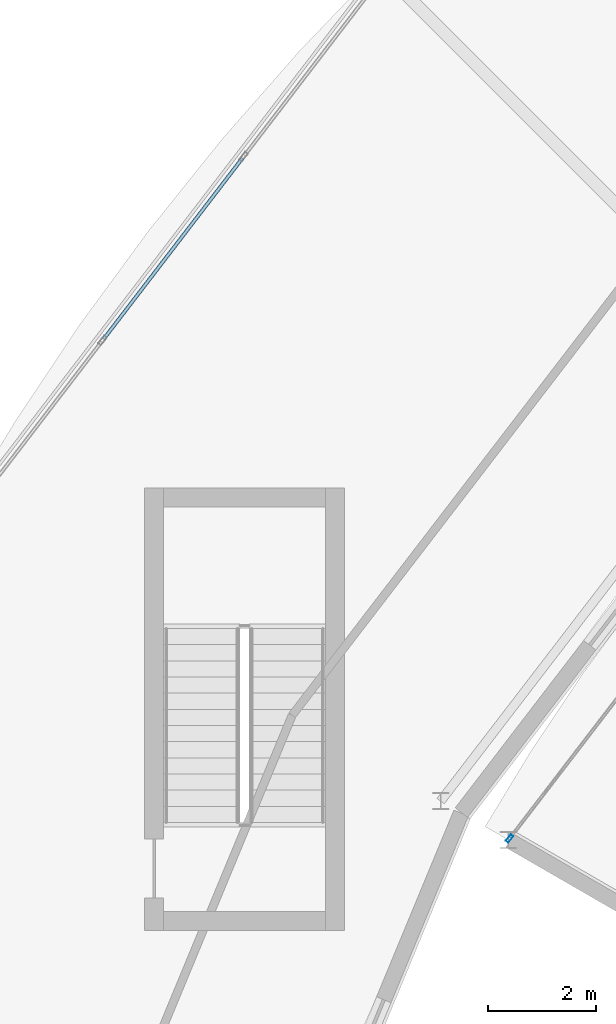
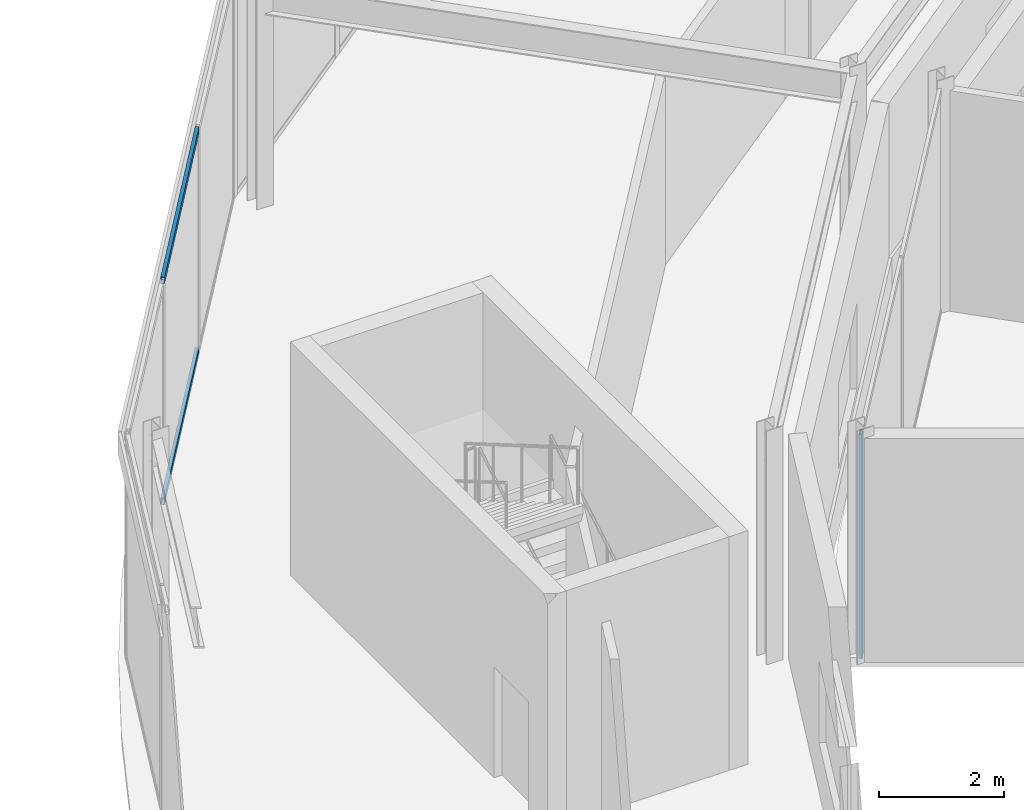
# One storey, part 37 of 116: 3 members, 2 elements without a shape of their own.
"""IFC4 building model written with IfcOpenShell, lengths in metres."""

from ifc_helpers import new_model, si_unit, direction, frame, origin, origin_2d, place, context, subcontext, project, spatial, hollow_rectangle, extrude, material, material_profile, profile_set, type_object, element, aggregate, save


model = new_model("IFC4")

# Units and contexts
model_context = context("Model", 3, precision=1e-05, world=origin(), true_north=direction((0.0, 1.0)))
body_context = subcontext(model_context, "Body", "Model", "MODEL_VIEW")
ifc_project = project(units=[si_unit("LENGTHUNIT", "METRE"), si_unit("AREAUNIT", "SQUARE_METRE"), si_unit("VOLUMEUNIT", "CUBIC_METRE"), si_unit("PLANEANGLEUNIT", "RADIAN"), si_unit("MASSUNIT", "GRAM", prefix="KILO")], contexts=[model_context])

# Site, building, storey
site_placement = place(None, origin())
site = spatial("IfcSite", under=ifc_project, at=site_placement, CompositionType="ELEMENT")
building_placement = place(site_placement, origin())
building = spatial("IfcBuilding", under=site, at=building_placement, Name="Almandine Court Research Institute", CompositionType="ELEMENT")
storey_placement = place(building_placement, frame((0.0, 0.0, 14.35009765625)))
storey = spatial("IfcBuildingStorey", under=building, at=storey_placement, Name="L03", CompositionType="ELEMENT", Elevation=14.35009765625)

# Curtain wall, member
ifc_material_1 = material(Name="Unitised Curtain Wall Framing and Solar Glazing", Category="glass")
curtain_wall_type_1 = type_object("IfcCurtainWallType", Name="CW-CWG-24", PredefinedType="USERDEFINED", material=ifc_material_1)
curtain_wall_1_placement = place(storey_placement, origin())
curtain_wall_1 = element("IfcCurtainWall", 1, at=curtain_wall_1_placement, inside=storey, type_object=curtain_wall_type_1, Name="L03 Interaction Atrium Perimeter Curtain Wall 09", ObjectType="UNITISED GLAZING", PredefinedType="USERDEFINED")
ifc_material_2 = material(Name="Anodised Aluminium AW-6063-T6", Category="aluminium")
ifc_material_profile_1 = material_profile(ifc_material_2, hollow_rectangle(XDim=0.06005859375, YDim=0.14990234375, WallThickness=0.00390625, at=origin_2d()), Name="ALU RHS 60x150x4")
ifc_profile_set_1 = profile_set([ifc_material_profile_1], Name="Anodised Aluminium AW-6063-T6")
member_type_1 = type_object("IfcMemberType", Name="CWMul-60x150", PredefinedType="MULLION", material=ifc_profile_set_1)
member_1_placement = place(storey_placement, frame((54.414306640625, 74.851806640625, 0.0), z_axis=(0.0, 0.0, 1.0), x_axis=(-0.793353924979, 0.608760667029, 0.0)))
member_1 = element("IfcMember", 2, at=member_1_placement, type_object=member_type_1, Name="CWG-24 mullion 1", PredefinedType="MULLION", context=body_context, shape_type="SweptSolid", body=[
    extrude(hollow_rectangle(XDim=0.06005859375, YDim=0.14990234375, WallThickness=0.00390625, at=origin_2d()), origin(), (0.0, 0.0, 1.0), 4.369873046875),
])
aggregate(curtain_wall_1, [member_1])

# Curtain wall, members
curtain_wall_type_2 = type_object("IfcCurtainWallType", Name="CW-CWJ-19", PredefinedType="USERDEFINED", material=ifc_material_1)
curtain_wall_2_placement = place(storey_placement, origin())
curtain_wall_2 = element("IfcCurtainWall", 3, at=curtain_wall_2_placement, inside=storey, type_object=curtain_wall_type_2, Name="L03 Stacked-Ring Drum Outer Solar Jali Screen 09", ObjectType="SOLAR JALI SCREEN", PredefinedType="USERDEFINED")
ifc_material_profile_2 = material_profile(ifc_material_2, hollow_rectangle(XDim=0.06494140625, YDim=0.1298828125, WallThickness=0.00390625, at=origin_2d()), Name="ALU RHS 65x130x4")
ifc_profile_set_2 = profile_set([ifc_material_profile_2], Name="Anodised Aluminium AW-6063-T6")
member_type_2 = type_object("IfcMemberType", Name="CWTrn-65x130", PredefinedType="NOTDEFINED", material=ifc_profile_set_2)
member_2_placement = place(storey_placement, frame((46.8876953125, 84.114501953125, 0.032470703125), z_axis=(0.608741867566, 0.793368349931, 0.0), x_axis=(-0.793368349931, 0.608741867566, 0.0)))
member_2 = element("IfcMember", 4, at=member_2_placement, type_object=member_type_2, Name="CWJ-19 transom 2.1", ObjectType="TRANSOM", PredefinedType="USERDEFINED", context=body_context, shape_type="SweptSolid", body=[
    extrude(hollow_rectangle(XDim=0.06494140625, YDim=0.1298828125, WallThickness=0.00390625, at=origin_2d()), origin(), (0.0, 0.0, 1.0), 4.2275390625),
])
member_3_placement = place(storey_placement, frame((46.8876953125, 84.114501953125, 4.33740234375), z_axis=(0.608741867566, 0.793368349931, 0.0), x_axis=(-0.793368349931, 0.608741867566, 0.0)))
member_3 = element("IfcMember", 5, at=member_3_placement, type_object=member_type_2, Name="CWJ-19 transom 2.2", ObjectType="TRANSOM", PredefinedType="USERDEFINED", context=body_context, shape_type="SweptSolid", body=[
    extrude(hollow_rectangle(XDim=0.06494140625, YDim=0.1298828125, WallThickness=0.00390625, at=origin_2d()), origin(), (0.0, 0.0, 1.0), 4.2275390625),
])
aggregate(curtain_wall_2, [member_2, member_3])

save(model, "model.ifc")
